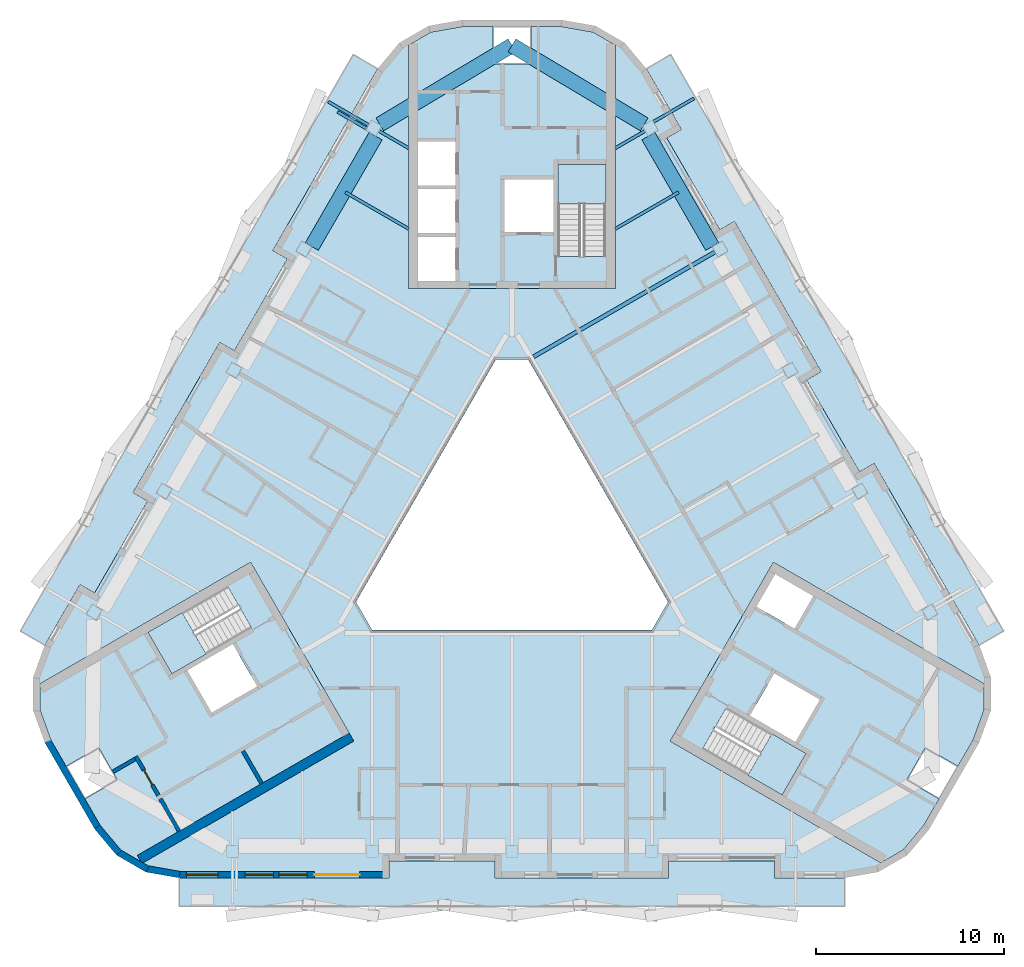
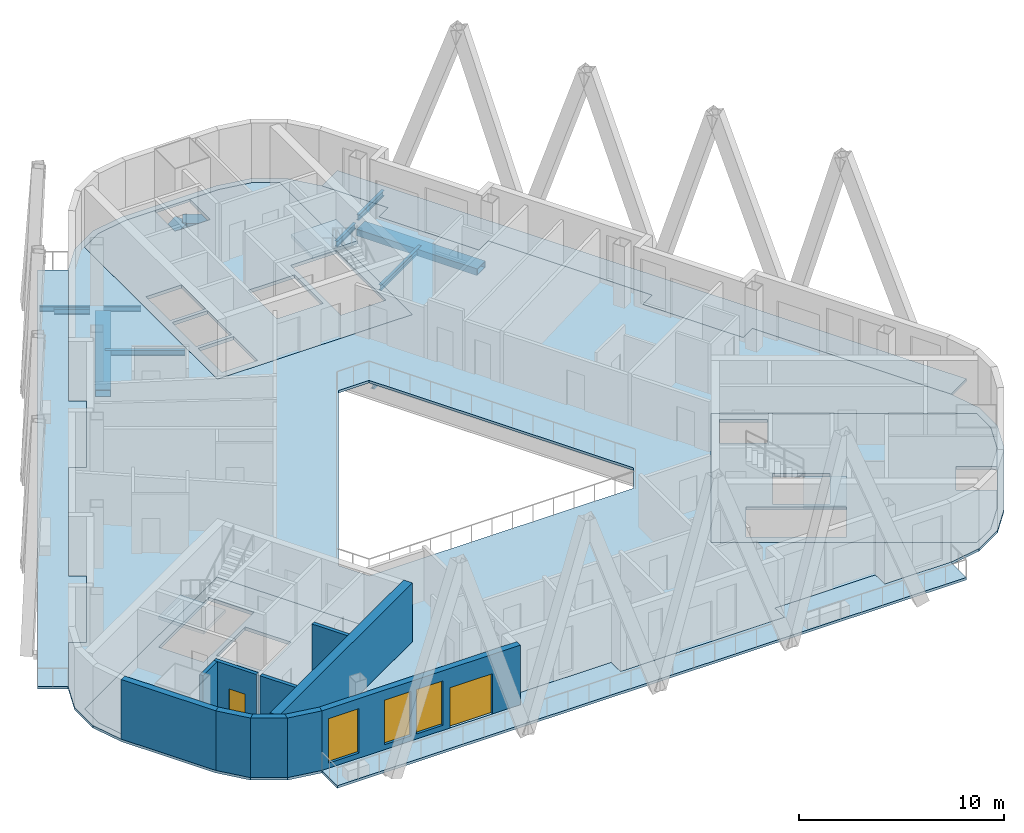
# One storey, part 2 of 14: 12 beams, 10 slabs, 10 walls, 3 windows, 2 doors, 5 openings, 3 elements without a shape of their own.
"""IFC4 building model written with IfcOpenShell, lengths in metres."""

from ifc_helpers import new_model, si_unit, direction, frame, frame_2d, origin, origin_2d, place, context, subcontext, project, spatial, polyline, rectangle, hollow_rectangle, i_section, outline, extrude, material, layer, layer_set, material_profile, profile_set, type_object, element, fill, aggregate, save


model = new_model("IFC4")

# Units and contexts
model_context = context("Model", 3, precision=1e-05, world=origin(), true_north=direction((0.0, 1.0)))
body_context = subcontext(model_context, "Body", "Model", "MODEL_VIEW")
ifc_project = project(units=[si_unit("LENGTHUNIT", "METRE"), si_unit("AREAUNIT", "SQUARE_METRE"), si_unit("VOLUMEUNIT", "CUBIC_METRE"), si_unit("PLANEANGLEUNIT", "RADIAN"), si_unit("MASSUNIT", "GRAM", prefix="KILO")], contexts=[model_context])

# Site, building, storey
site_placement = place(None, origin())
site = spatial("IfcSite", under=ifc_project, at=site_placement, CompositionType="ELEMENT")
building_placement = place(site_placement, origin())
building = spatial("IfcBuilding", under=site, at=building_placement, Name="Apuvela Tower Hotel", CompositionType="ELEMENT")
storey_placement = place(building_placement, frame((0.0, 0.0, 268.89990234375)))
storey = spatial("IfcBuildingStorey", under=building, at=storey_placement, Name="L66", CompositionType="ELEMENT", Elevation=268.89990234375)

# Beams
ifc_material_1 = material(Name="Steel S355", Category="steel")
ifc_material_profile_1 = material_profile(ifc_material_1, i_section(OverallWidth=0.159912109375, OverallDepth=0.330078125, WebThickness=0.007568359375, FlangeThickness=0.011474609375, at=origin_2d()), Name="IPE 330")
ifc_profile_set_1 = profile_set([ifc_material_profile_1], Name="Steel S355")
beam_type_1 = type_object("IfcBeamType", Name="ENV-BALCONY-BEAM-IPE330", PredefinedType="BEAM", material=ifc_profile_set_1)
beam_1_placement = place(storey_placement, frame((7.543212890625, 21.776123046875, -0.31494140625), z_axis=(0.866031185235, 0.4999899861, 0.0), x_axis=(-0.4999899861, 0.866031185235, 0.0)))
element("IfcBeam", 1, at=beam_1_placement, inside=storey, type_object=beam_type_1, Name="Balcony cantilever beam NE3 L66", PredefinedType="BEAM", context=body_context, shape_type="SweptSolid", body=[
    extrude(i_section(OverallWidth=0.159912109375, OverallDepth=0.330078125, WebThickness=0.007568359375, FlangeThickness=0.011474609375, at=origin_2d()), origin(), (0.0, 0.0, 1.0), 2.47509765625),
])
beam_2_placement = place(storey_placement, frame((-7.643310546875, 21.60302734375, -0.31494140625), z_axis=(-0.866006523861, 0.500032699561, 0.0), x_axis=(-0.500032699561, -0.866006523861, 0.0)))
element("IfcBeam", 2, at=beam_2_placement, inside=storey, type_object=beam_type_1, Name="Balcony cantilever beam NW1 L66", PredefinedType="BEAM", context=body_context, shape_type="SweptSolid", body=[
    extrude(i_section(OverallWidth=0.159912109375, OverallDepth=0.330078125, WebThickness=0.007568359375, FlangeThickness=0.011474609375, at=origin_2d()), origin(), (0.0, 0.0, 1.0), 2.474853515625),
])
beam_3_placement = place(storey_placement, frame((-7.75341796875, 21.41259765625, -0.31494140625), z_axis=(-0.866025242659, 0.500000279077, 0.0), x_axis=(-0.500000279077, -0.866025242659, 0.0)))
element("IfcBeam", 3, at=beam_3_placement, inside=storey, type_object=beam_type_1, Name="Balcony cantilever beam NW2 L66", PredefinedType="BEAM", context=body_context, shape_type="SweptSolid", body=[
    extrude(i_section(OverallWidth=0.159912109375, OverallDepth=0.330078125, WebThickness=0.007568359375, FlangeThickness=0.011474609375, at=origin_2d()), origin(), (0.0, 0.0, 1.0), 1.77490234375),
])
ifc_material_profile_2 = material_profile(ifc_material_1, i_section(OverallWidth=0.159912109375, OverallDepth=0.330078125, WebThickness=0.007568359375, FlangeThickness=0.011474609375, at=origin_2d()), Name="IPE 330")
ifc_profile_set_2 = profile_set([ifc_material_profile_2], Name="Steel S355")
beam_type_2 = type_object("IfcBeamType", Name="STR-B floor beam IPE 330", PredefinedType="BEAM", material=ifc_profile_set_2)
beam_4_placement = place(storey_placement, frame((8.876220703125, 18.017333984375, -0.31494140625), z_axis=(-0.866030200013, -0.499991692596, 0.0), x_axis=(0.499991692596, -0.866030200013, 0.0)))
element("IfcBeam", 4, at=beam_4_placement, inside=storey, type_object=beam_type_2, Name="Floor beam B1 NE8", PredefinedType="BEAM", context=body_context, shape_type="SweptSolid", body=[
    extrude(i_section(OverallWidth=0.159912109375, OverallDepth=0.330078125, WebThickness=0.007568359375, FlangeThickness=0.011474609375, at=origin_2d()), origin(), (0.0, 0.0, 1.0), 3.8984375),
])
for number, where, z_axis, x_axis, name in (
    (5, (7.080322265625, 21.278076171875, -0.31494140625), (-0.865978377894, -0.500081442387, 0.0), (0.500081442387, -0.865978377894, 0.0), "Floor beam B1 NE9"),
    (6, (-7.080322265625, 21.278076171875, -0.31494140625), (0.865978377894, -0.500081442387, 0.0), (0.500081442387, 0.865978377894, 0.0), "Floor beam B1 NW1"),
):
    element("IfcBeam", number, at=place(storey_placement, frame(where, z_axis=z_axis, x_axis=x_axis)), inside=storey, type_object=beam_type_2, Name=name, PredefinedType="BEAM", context=body_context, shape_type="SweptSolid", body=[
        extrude(i_section(OverallWidth=0.159912109375, OverallDepth=0.330078125, WebThickness=0.007568359375, FlangeThickness=0.011474609375, at=origin_2d()), origin(), (0.0, 0.0, 1.0), 1.824951171875),
    ])
beam_5_placement = place(storey_placement, frame((-8.876220703125, 18.017333984375, -0.31494140625), z_axis=(0.866030200013, -0.499991692596, 0.0), x_axis=(0.499991692596, 0.866030200013, 0.0)))
element("IfcBeam", 7, at=beam_5_placement, inside=storey, type_object=beam_type_2, Name="Floor beam B1 NW2", PredefinedType="BEAM", context=body_context, shape_type="SweptSolid", body=[
    extrude(i_section(OverallWidth=0.159912109375, OverallDepth=0.330078125, WebThickness=0.007568359375, FlangeThickness=0.011474609375, at=origin_2d()), origin(), (0.0, 0.0, 1.0), 3.8984375),
])
ifc_material_profile_3 = material_profile(ifc_material_1, i_section(OverallWidth=0.2099609375, OverallDepth=0.550048828125, WebThickness=0.010986328125, FlangeThickness=0.01708984375, at=origin_2d()), Name="IPE 550")
ifc_profile_set_3 = profile_set([ifc_material_profile_3], Name="Steel S355")
beam_type_3 = type_object("IfcBeamType", Name="STR-B floor beam IPE 550", PredefinedType="BEAM", material=ifc_profile_set_3)
beam_6_placement = place(storey_placement, frame((10.80224609375, 14.831787109375, -0.4248046875), z_axis=(-0.866026256057, -0.499998523817, 0.0), x_axis=(0.499998523817, -0.866026256057, 0.0)))
element("IfcBeam", 8, at=beam_6_placement, inside=storey, type_object=beam_type_3, Name="Floor beam B7 NE7", PredefinedType="BEAM", context=body_context, shape_type="SweptSolid", body=[
    extrude(i_section(OverallWidth=0.2099609375, OverallDepth=0.550048828125, WebThickness=0.010986328125, FlangeThickness=0.01708984375, at=origin_2d()), origin(), (0.0, 0.0, 1.0), 11.15087890625),
])
ifc_material_2 = material(Name="Steel S460", Category="steel")
ifc_material_profile_4 = material_profile(ifc_material_2, hollow_rectangle(XDim=0.800048828125, YDim=0.39990234375, WallThickness=0.02490234375, at=origin_2d()), Name="BOX 800x400x25")
ifc_profile_set_4 = profile_set([ifc_material_profile_4], Name="Steel S460")
beam_type_4 = type_object("IfcBeamType", Name="STR-RB perimeter ring beam BOX 800x400x25", PredefinedType="SPANDREL", material=ifc_profile_set_4)
for number, where, z_axis, x_axis, name in (
    (9, (10.661376953125, 15.125732421875, -0.39990234375), (-0.500000356135, 0.86602519817, 0.0), (-0.86602519817, -0.500000356135, 0.0), "Ring beam RB1 NE4"),
    (10, (-7.2646484375, 21.009033203125, -0.39990234375), (-0.500000356135, -0.86602519817, 0.0), (0.86602519817, -0.500000356135, 0.0), "Ring beam RB1 NW1"),
):
    element("IfcBeam", number, at=place(storey_placement, frame(where, z_axis=z_axis, x_axis=x_axis)), inside=storey, type_object=beam_type_4, Name=name, PredefinedType="SPANDREL", context=body_context, shape_type="SweptSolid", body=[
        extrude(hollow_rectangle(XDim=0.800048828125, YDim=0.39990234375, WallThickness=0.02490234375, at=origin_2d()), origin(), (0.0, 0.0, 1.0), 6.79345703125),
    ])
for number, where, z_axis, x_axis, name in (
    (11, (7.04248046875, 21.631591796875, -0.39990234375), (-0.858274280766, 0.513191249901, 0.0), (-0.513191249901, -0.858274280766, 0.0), "Ring beam RB1 NE5-N"),
    (12, (-7.04248046875, 21.631591796875, -0.39990234375), (0.858274280766, 0.513191249901, 0.0), (-0.513191249901, 0.858274280766, 0.0), "Ring beam RB1 NW1-N"),
):
    element("IfcBeam", number, at=place(storey_placement, frame(where, z_axis=z_axis, x_axis=x_axis)), inside=storey, type_object=beam_type_4, Name=name, PredefinedType="SPANDREL", context=body_context, shape_type="SweptSolid", body=[
        extrude(hollow_rectangle(XDim=0.800048828125, YDim=0.39990234375, WallThickness=0.02490234375, at=origin_2d()), origin(), (0.0, 0.0, 1.0), 8.205322265625),
    ])

# Slabs
ifc_material_3 = material(Name="Concrete C50/60", Category="concrete")
ifc_layer_1 = layer(ifc_material_3, 0.199951171875)
ifc_layer_set_1 = layer_set([ifc_layer_1], Name="COR-FLOOR-200")
slab_type_1 = type_object("IfcSlabType", Name="COR-FLOOR-200", PredefinedType="FLOOR", material=ifc_layer_set_1)
slab_1_placement = place(storey_placement, frame((0.0, 0.0, -0.199951171875)))
element("IfcSlab", 13, at=slab_1_placement, inside=storey, type_object=slab_type_1, Name="Core floor N", PredefinedType="FLOOR", context=body_context, shape_type="SweptSolid", body=[
    extrude(outline(polyline([(5.5, 25.86279296875), (4.31640625, 26.5458984375), (2.635009765625, 26.842529296875), (1.0, 26.842529296875), (1.0, 24.842529296875), (-1.0, 24.842529296875), (-1.0, 26.842529296875), (-2.635009765625, 26.842529296875), (-4.31640625, 26.5458984375), (-5.5, 25.86279296875), (-5.5, 12.89990234375), (5.5, 12.89990234375), (5.5, 25.86279296875)]), holes=[polyline([(-3.0, 13.300048828125), (-5.0, 13.300048828125), (-5.0, 15.639892578125), (-3.0, 15.639892578125), (-3.0, 13.300048828125)]), polyline([(-3.0, 15.840087890625), (-5.0, 15.840087890625), (-5.0, 18.179931640625), (-3.0, 18.179931640625), (-3.0, 15.840087890625)]), polyline([(5.0, 14.60595703125), (2.449951171875, 14.60595703125), (2.449951171875, 19.5), (5.0, 19.5), (5.0, 14.60595703125)]), polyline([(2.199951171875, 18.699951171875), (2.199951171875, 15.89990234375), (-0.39990234375, 15.89990234375), (-0.39990234375, 18.699951171875), (2.199951171875, 18.699951171875)]), polyline([(-3.0, 20.719970703125), (-3.0, 18.3798828125), (-5.0, 18.3798828125), (-5.0, 20.719970703125), (-3.0, 20.719970703125)])]), origin(), (0.0, 0.0, 1.0), 0.199951171875),
])
slab_2_placement = place(storey_placement, frame((0.0, 0.0, -0.199951171875)))
element("IfcSlab", 14, at=slab_2_placement, inside=storey, type_object=slab_type_1, Name="Core floor SW", PredefinedType="FLOOR", context=body_context, shape_type="SweptSolid", body=[
    extrude(outline(polyline([(-25.147705078125, -8.168212890625), (-25.147705078125, -9.534912109375), (-24.563720703125, -11.139404296875), (-23.746337890625, -12.55517578125), (-22.014404296875, -11.55517578125), (-21.014404296875, -13.287353515625), (-22.746337890625, -14.287353515625), (-21.9287109375, -15.703125), (-20.831298828125, -17.01123046875), (-19.647705078125, -17.694580078125), (-8.421630859375, -11.213134765625), (-13.921630859375, -1.68701171875), (-25.147705078125, -8.168212890625)]), holes=[polyline([(-13.874267578125, -5.18115234375), (-18.112548828125, -7.628173828125), (-19.387451171875, -5.419921875), (-15.149169921875, -2.972900390625), (-13.874267578125, -5.18115234375)]), polyline([(-13.56982421875, -8.29638671875), (-15.99462890625, -9.6962890625), (-17.294677734375, -7.444580078125), (-14.869873046875, -6.044677734375), (-13.56982421875, -8.29638671875)])]), origin(), (0.0, 0.0, 1.0), 0.199951171875),
])
slab_3_placement = place(storey_placement, frame((0.0, 0.0, -0.199951171875)))
element("IfcSlab", 15, at=slab_3_placement, inside=storey, type_object=slab_type_1, Name="Core floor SE", PredefinedType="FLOOR", context=body_context, shape_type="SweptSolid", body=[
    extrude(outline(polyline([(19.647705078125, -17.694580078125), (20.831298828125, -17.01123046875), (21.9287109375, -15.703125), (22.746337890625, -14.287353515625), (21.014404296875, -13.287353515625), (22.014404296875, -11.55517578125), (23.746337890625, -12.55517578125), (24.563720703125, -11.139404296875), (25.147705078125, -9.534912109375), (25.147705078125, -8.168212890625), (13.921630859375, -1.68701171875), (8.421630859375, -11.213134765625), (19.647705078125, -17.694580078125)]), holes=[polyline([(14.01806640625, -2.31982421875), (16.044677734375, -3.489990234375), (15.044677734375, -5.221923828125), (13.01806640625, -4.052001953125), (14.01806640625, -2.31982421875)]), polyline([(10.149169921875, -11.633056640625), (11.42431640625, -9.4248046875), (15.66259765625, -11.871826171875), (14.387451171875, -14.080078125), (10.149169921875, -11.633056640625)]), polyline([(12.669921875, -9.855224609375), (13.9697265625, -7.603515625), (16.394775390625, -9.003662109375), (15.0947265625, -11.25537109375), (12.669921875, -9.855224609375)])]), origin(), (0.0, 0.0, 1.0), 0.199951171875),
])

# Stair, slab
stair_type = type_object("IfcStairType", Name="COR-STAIR-22R", PredefinedType="HALF_TURN_STAIR", material=ifc_material_3)
stair_1_placement = place(storey_placement, origin())
stair_1 = element("IfcStair", 16, at=stair_1_placement, inside=storey, type_object=stair_type, Name="L66 Exit stair ST1", PredefinedType="HALF_TURN_STAIR")
ifc_layer_2 = layer(ifc_material_3, 0.199951171875)
ifc_layer_set_2 = layer_set([ifc_layer_2], Name="COR-LANDING-200")
slab_type_2 = type_object("IfcSlabType", Name="COR-LANDING-200", PredefinedType="LANDING", material=ifc_layer_set_2)
slab_4_placement = place(storey_placement, frame((0.0, 0.0, 1.650146484375)))
slab_4 = element("IfcSlab", 17, at=slab_4_placement, type_object=slab_type_2, Name="ST1 landing 1", PredefinedType="LANDING", context=body_context, shape_type="SweptSolid", body=[
    extrude(outline(polyline([(5.0, 17.39404296875), (5.0, 19.5), (2.449951171875, 19.5), (2.449951171875, 17.39404296875), (5.0, 17.39404296875)])), origin(), (0.0, 0.0, 1.0), 0.199951171875),
])
aggregate(stair_1, [slab_4])

stair_2_placement = place(storey_placement, origin())
stair_2 = element("IfcStair", 18, at=stair_2_placement, inside=storey, type_object=stair_type, Name="L66 Exit stair ST2", PredefinedType="HALF_TURN_STAIR")
slab_5_placement = place(storey_placement, frame((0.0, 0.0, 1.650146484375)))
slab_5 = element("IfcSlab", 19, at=slab_5_placement, type_object=slab_type_2, Name="ST2 landing 1", PredefinedType="LANDING", context=body_context, shape_type="SweptSolid", body=[
    extrude(outline(polyline([(-17.563720703125, -4.366943359375), (-19.387451171875, -5.419921875), (-18.112548828125, -7.628173828125), (-16.28857421875, -6.5751953125), (-17.563720703125, -4.366943359375)])), origin(), (0.0, 0.0, 1.0), 0.199951171875),
])
aggregate(stair_2, [slab_5])

stair_3_placement = place(storey_placement, origin())
stair_3 = element("IfcStair", 20, at=stair_3_placement, inside=storey, type_object=stair_type, Name="L66 Exit stair ST3", PredefinedType="HALF_TURN_STAIR")
slab_6_placement = place(storey_placement, frame((0.0, 0.0, 1.650146484375)))
slab_6 = element("IfcSlab", 21, at=slab_6_placement, type_object=slab_type_2, Name="ST3 landing 1", PredefinedType="LANDING", context=body_context, shape_type="SweptSolid", body=[
    extrude(outline(polyline([(12.563720703125, -13.027099609375), (14.387451171875, -14.080078125), (15.66259765625, -11.871826171875), (13.838623046875, -10.81884765625), (12.563720703125, -13.027099609375)])), origin(), (0.0, 0.0, 1.0), 0.199951171875),
])
aggregate(stair_3, [slab_6])

# Slabs
ifc_material_4 = material(Name="Concrete C40/50, fair-faced", Category="concrete")
ifc_layer_3 = layer(ifc_material_4, 0.14990234375)
ifc_layer_set_3 = layer_set([ifc_layer_3], Name="ENV-BALCONY-150")
slab_type_3 = type_object("IfcSlabType", Name="ENV-BALCONY-150", PredefinedType="FLOOR", material=ifc_layer_set_3)
slab_7_placement = place(storey_placement, frame((0.0, 0.0, -0.14990234375)))
element("IfcSlab", 22, at=slab_7_placement, inside=storey, type_object=slab_type_3, Name="Balcony slab S L66", PredefinedType="FLOOR", context=body_context, shape_type="SweptSolid", body=[
    extrude(outline(polyline([(17.733642578125, -20.000732421875), (-17.733642578125, -20.000732421875), (-17.733642578125, -18.49072265625), (-6.548583984375, -18.49072265625), (-6.548583984375, -17.5908203125), (-0.89501953125, -17.5908203125), (-0.89501953125, -18.49072265625), (8.338623046875, -18.49072265625), (8.338623046875, -17.5908203125), (13.9921875, -17.5908203125), (13.9921875, -18.49072265625), (17.733642578125, -18.49072265625), (17.733642578125, -20.000732421875)])), origin(), (0.0, 0.0, 1.0), 0.14990234375),
])
slab_8_placement = place(storey_placement, frame((0.0, 0.0, -0.14990234375)))
element("IfcSlab", 23, at=slab_8_placement, inside=storey, type_object=slab_type_3, Name="Balcony slab NE L66", PredefinedType="FLOOR", context=body_context, shape_type="SweptSolid", body=[
    extrude(outline(polyline([(16.4609375, 8.47021484375), (11.84423828125, 16.466796875), (11.064697265625, 16.016845703125), (8.238037109375, 20.912841796875), (9.017578125, 21.36279296875), (7.146728515625, 24.603271484375), (8.454345703125, 25.358154296875), (26.18798828125, -5.357421875), (24.88037109375, -6.1123046875), (19.287841796875, 3.57421875), (18.50830078125, 3.124267578125), (15.681640625, 8.020263671875), (16.4609375, 8.47021484375)])), origin(), (0.0, 0.0, 1.0), 0.14990234375),
])
slab_9_placement = place(storey_placement, frame((0.0, 0.0, -0.14990234375)))
element("IfcSlab", 24, at=slab_9_placement, inside=storey, type_object=slab_type_3, Name="Balcony slab NW L66", PredefinedType="FLOOR", context=body_context, shape_type="SweptSolid", body=[
    extrude(outline(polyline([(-26.18798828125, -5.357421875), (-8.454345703125, 25.3583984375), (-7.146728515625, 24.603271484375), (-12.7392578125, 14.91650390625), (-11.959716796875, 14.466552734375), (-14.78662109375, 9.570556640625), (-15.56591796875, 10.0205078125), (-20.182861328125, 2.02392578125), (-19.4033203125, 1.573974609375), (-22.22998046875, -3.322021484375), (-23.009521484375, -2.8720703125), (-24.88037109375, -6.1123046875), (-26.18798828125, -5.357421875)])), origin(), (0.0, 0.0, 1.0), 0.14990234375),
])
ifc_material_5 = material(Name="Concrete C35/45", Category="concrete")
ifc_layer_4 = layer(ifc_material_5, 0.14990234375)
ifc_layer_set_4 = layer_set([ifc_layer_4], Name="STR-SLAB 150 floor Concrete C35/45")
slab_type_4 = type_object("IfcSlabType", Name="STR-SLAB 150 floor Concrete C35/45", PredefinedType="FLOOR", material=ifc_layer_set_4)
slab_10_placement = place(storey_placement, frame((0.0, 0.0, -0.14990234375)))
element("IfcSlab", 25, at=slab_10_placement, inside=storey, type_object=slab_type_4, Name="Floor slab S4 L66", PredefinedType="FLOOR", context=body_context, shape_type="SweptSolid", body=[
    extrude(outline(polyline([(-5.99658203125, 25.97998046875), (-4.43798828125, 26.8798828125), (-2.66552734375, 27.1923828125), (2.66552734375, 27.1923828125), (4.43798828125, 26.8798828125), (5.99658203125, 25.97998046875), (7.153564453125, 24.601318359375), (9.0244140625, 21.361083984375), (8.244873046875, 20.9111328125), (11.066650390625, 16.023681640625), (11.84619140625, 16.4736328125), (16.468017578125, 8.468505859375), (15.6884765625, 8.0185546875), (18.51025390625, 3.131103515625), (19.28955078125, 3.5810546875), (24.882080078125, -6.105712890625), (25.497802734375, -7.796875), (25.497802734375, -9.5966796875), (24.882080078125, -11.287841796875), (22.216552734375, -15.90478515625), (21.059814453125, -17.283447265625), (19.501220703125, -18.183349609375), (17.728759765625, -18.495849609375), (13.987060546875, -18.495849609375), (13.987060546875, -17.595703125), (8.343505859375, -17.595703125), (8.343505859375, -18.495849609375), (-0.89990234375, -18.495849609375), (-0.89990234375, -17.595703125), (-6.54345703125, -17.595703125), (-6.54345703125, -18.495849609375), (-17.728759765625, -18.495849609375), (-19.501220703125, -18.183349609375), (-21.059814453125, -17.283447265625), (-22.216552734375, -15.90478515625), (-24.882080078125, -11.287841796875), (-25.497802734375, -9.5966796875), (-25.497802734375, -7.796875), (-24.882080078125, -6.105712890625), (-23.011474609375, -2.865234375), (-22.23193359375, -3.315185546875), (-19.41015625, 1.572021484375), (-20.189697265625, 2.022216796875), (-15.56787109375, 10.02734375), (-14.788330078125, 9.577392578125), (-11.966796875, 14.46484375), (-12.74609375, 14.914794921875), (-7.153564453125, 24.601318359375), (-5.99658203125, 25.97998046875)]), holes=[polyline([(0.865966796875, 9.10009765625), (-0.865966796875, 9.10009765625), (-8.313720703125, -3.800048828125), (-7.44775390625, -5.300048828125), (7.44775390625, -5.300048828125), (8.313720703125, -3.800048828125), (0.865966796875, 9.10009765625)]), polyline([(-5.5, 12.89990234375), (-5.5, 25.86279296875), (-4.31640625, 26.5458984375), (-2.635009765625, 26.842529296875), (2.635009765625, 26.842529296875), (4.31640625, 26.5458984375), (5.5, 25.86279296875), (5.5, 12.89990234375), (-5.5, 12.89990234375)]), polyline([(-8.421630859375, -11.213134765625), (-19.647705078125, -17.694580078125), (-20.831298828125, -17.01123046875), (-21.9287109375, -15.703125), (-24.563720703125, -11.139404296875), (-25.147705078125, -9.534912109375), (-25.147705078125, -8.168212890625), (-13.921630859375, -1.68701171875), (-8.421630859375, -11.213134765625)]), polyline([(13.921630859375, -1.68701171875), (25.147705078125, -8.168212890625), (25.147705078125, -9.534912109375), (24.563720703125, -11.139404296875), (21.9287109375, -15.703125), (20.831298828125, -17.01123046875), (19.647705078125, -17.694580078125), (8.421630859375, -11.213134765625), (13.921630859375, -1.68701171875)])]), origin(), (0.0, 0.0, 1.0), 0.14990234375),
])

# Wall
ifc_layer_5 = layer(ifc_material_3, 0.5)
ifc_layer_set_5 = layer_set([ifc_layer_5], Name="COR-WALL-CORE-500")
wall_type_1 = type_object("IfcWallType", Name="COR-WALL-CORE-500", PredefinedType="SHEAR", material=ifc_layer_set_5)
wall_1_placement = place(storey_placement, frame((-8.546630859375, -10.99658203125, 0.0), z_axis=(0.0, 0.0, 1.0), x_axis=(-0.866030218785, -0.499991660082, 0.0)))
element("IfcWall", 26, at=wall_1_placement, inside=storey, type_object=wall_type_1, Name="Core wall SW", PredefinedType="SHEAR", context=body_context, shape_type="SweptSolid", body=[
    extrude(rectangle(XDim=13.031494140625, YDim=0.5, at=frame_2d((6.515625, 0.0))), origin(), (0.0, 0.0, 1.0), 3.5),
])

# Wall, opening, door
ifc_layer_6 = layer(ifc_material_3, 0.199951171875)
ifc_layer_set_6 = layer_set([ifc_layer_6], Name="COR-WALL-SHAFT-200")
wall_type_2 = type_object("IfcWallType", Name="COR-WALL-SHAFT-200", PredefinedType="SHEAR", material=ifc_layer_set_6)
wall_2_placement = place(storey_placement, frame((-20.030517578125, -12.0263671875, 0.0), z_axis=(0.0, 0.0, 1.0), x_axis=(0.500033551112, -0.866006032174, 0.0)))
wall_2 = element("IfcWall", 27, at=wall_2_placement, inside=storey, type_object=wall_type_2, Name="Shaft wall SW", PredefinedType="SHEAR", context=body_context, shape_type="SweptSolid", body=[
    extrude(rectangle(XDim=2.400146484375, YDim=0.199951171875, at=frame_2d((1.2001953125, 0.0))), origin(), (0.0, 0.0, 1.0), 3.5),
])
opening_1_placement = place(wall_2_placement, frame((0.85009765625, 0.0, 0.0)))
opening_1 = element("IfcOpeningElement", 28, at=opening_1_placement, cuts=wall_2, Name="Opening W-REP", PredefinedType="OPENING", context=body_context, shape_type="SweptSolid", body=[
    extrude(rectangle(XDim=0.89990234375, YDim=2.10009765625, at=frame_2d((0.449951171875, 1.050048828125))), frame((0.0, 0.10986328125, 0.0), z_axis=(0.0, -1.0, 0.0), x_axis=(1.0, 0.0, 0.0)), (0.0, 0.0, 1.0), 0.219970703125),
])
ifc_material_6 = material(Name="Steel fire door, powder coated", Category="steel")
door_type_1 = type_object("IfcDoorType", Name="COR-DR-900", OperationType="NOTDEFINED", PredefinedType="DOOR", material=ifc_material_6)
door_1_placement = place(opening_1_placement, frame((0.89990234375, 0.0, 0.0), z_axis=(0.0, 0.0, 1.0), x_axis=(-1.0, 0.0, 0.0)))
door_1 = element("IfcDoor", 29, at=door_1_placement, inside=storey, type_object=door_type_1, Name="Store door W-REP", OperationType="SINGLE_SWING_LEFT", OverallHeight=2.10009765625, OverallWidth=0.89990234375, PredefinedType="DOOR", context=body_context, shape_type="SweptSolid", body=[
    extrude(rectangle(XDim=0.89990234375, YDim=2.10009765625, at=frame_2d((0.449951171875, 1.050048828125))), frame((0.0, 0.02490234375, 0.0), z_axis=(0.0, -1.0, 0.0), x_axis=(1.0, 0.0, 0.0)), (0.0, 0.0, 1.0), 0.050048828125),
])
fill(opening_1, door_1)

# Walls
for number, where, z_axis, x_axis, name in (
    (30, (-14.330810546875, -11.738037109375, 0.0), (0.0, 0.0, 1.0), (0.499972520799, -0.866041268327, 0.0), "Shaft wall SW"),
    (31, (-18.73046875, -14.278076171875, 0.0), (0.0, 0.0, 1.0), (0.50002537861, -0.866010750942, 0.0), "Shaft wall SW"),
):
    element("IfcWall", number, at=place(storey_placement, frame(where, z_axis=z_axis, x_axis=x_axis)), inside=storey, type_object=wall_type_2, Name=name, PredefinedType="SHEAR", context=body_context, shape_type="SweptSolid", body=[
        extrude(rectangle(XDim=2.0, YDim=0.199951171875, at=frame_2d((1.0, 0.0))), origin(), (0.0, 0.0, 1.0), 3.5),
    ])
wall_3_placement = place(storey_placement, frame((-20.06689453125, -12.1630859375, 0.0), z_axis=(0.0, 0.0, 1.0), x_axis=(-0.866094443108, -0.499880401313, 0.0)))
element("IfcWall", 32, at=wall_3_placement, inside=storey, type_object=wall_type_2, Name="Shaft wall SW", PredefinedType="SHEAR", context=body_context, shape_type="SweptSolid", body=[
    extrude(rectangle(XDim=1.382568359375, YDim=0.199951171875, at=frame_2d((0.69140625, 0.0))), origin(), (0.0, 0.0, 1.0), 3.5),
])
ifc_material_7 = material(Name="Concrete C40/50, dark pigmented precast panel", Category="concrete")
ifc_layer_7 = layer(ifc_material_7, 0.35009765625)
ifc_layer_set_7 = layer_set([ifc_layer_7], Name="ENV-WALL-350")
wall_type_3 = type_object("IfcWallType", Name="ENV-WALL-350", PredefinedType="SOLIDWALL", material=ifc_layer_set_7)
wall_4_placement = place(storey_placement, frame((-24.730712890625, -11.2001953125, 0.0), z_axis=(0.0, 0.0, 1.0), x_axis=(0.500025039717, -0.866010946615, 0.0)))
element("IfcWall", 33, at=wall_4_placement, inside=storey, type_object=wall_type_3, Name="External wall L66-13", PredefinedType="SOLIDWALL", context=body_context, shape_type="SweptSolid", body=[
    extrude(rectangle(XDim=5.331298828125, YDim=0.35009765625, at=frame_2d((2.66552734375, 0.0))), origin(), (0.0, 0.0, 1.0), 3.550048828125),
])
wall_5_placement = place(storey_placement, frame((-22.08251953125, -15.792236328125, 0.0), z_axis=(0.0, 0.0, 1.0), x_axis=(0.642756114672, -0.766070869471, 0.0)))
element("IfcWall", 34, at=wall_5_placement, inside=storey, type_object=wall_type_3, Name="External wall L66-14", PredefinedType="SOLIDWALL", context=body_context, shape_type="SweptSolid", body=[
    extrude(rectangle(XDim=1.799560546875, YDim=0.35009765625, at=frame_2d((0.89990234375, 0.0))), origin(), (0.0, 0.0, 1.0), 3.550048828125),
])
wall_6_placement = place(storey_placement, frame((-20.972412109375, -17.1318359375, 0.0), z_axis=(0.0, 0.0, 1.0), x_axis=(0.866047807691, -0.499961193289, 0.0)))
element("IfcWall", 35, at=wall_6_placement, inside=storey, type_object=wall_type_3, Name="External wall L66-15", PredefinedType="SOLIDWALL", context=body_context, shape_type="SweptSolid", body=[
    extrude(rectangle(XDim=1.800048828125, YDim=0.35009765625, at=frame_2d((0.89990234375, 0.0))), origin(), (0.0, 0.0, 1.0), 3.550048828125),
])
wall_7_placement = place(storey_placement, frame((-19.470703125, -18.010986328125, 0.0), z_axis=(0.0, 0.0, 1.0), x_axis=(0.984810858511, -0.173630564586, 0.0)))
element("IfcWall", 36, at=wall_7_placement, inside=storey, type_object=wall_type_3, Name="External wall L66-16", PredefinedType="SOLIDWALL", context=body_context, shape_type="SweptSolid", body=[
    extrude(rectangle(XDim=1.7998046875, YDim=0.35009765625, at=frame_2d((0.89990234375, 0.0))), origin(), (0.0, 0.0, 1.0), 3.550048828125),
])

# Wall, openings, door, windows
wall_8_placement = place(storey_placement, frame((-17.728759765625, -18.32080078125, 0.0), z_axis=(0.0, 0.0, 1.0), x_axis=(1.0, 0.0, 0.0)))
wall_8 = element("IfcWall", 37, at=wall_8_placement, inside=storey, type_object=wall_type_3, Name="External wall L66-17", PredefinedType="SOLIDWALL", context=body_context, shape_type="SweptSolid", body=[
    extrude(rectangle(XDim=11.185302734375, YDim=0.35009765625, at=frame_2d((5.5927734375, 0.0))), origin(), (0.0, 0.0, 1.0), 3.550048828125),
])
opening_2_placement = place(wall_8_placement, frame((0.380615234375, 0.0, 0.300048828125)))
opening_2 = element("IfcOpeningElement", 38, at=opening_2_placement, cuts=wall_8, Name="Opening WN17", PredefinedType="OPENING", context=body_context, shape_type="SweptSolid", body=[
    extrude(rectangle(XDim=1.699951171875, YDim=2.64990234375, at=frame_2d((0.85009765625, 1.324951171875))), frame((0.0, 0.18505859375, 0.0), z_axis=(0.0, -1.0, 0.0), x_axis=(1.0, 0.0, 0.0)), (0.0, 0.0, 1.0), 0.3701171875),
])
opening_3_placement = place(wall_8_placement, frame((7.210205078125, 0.0, 0.0)))
opening_3 = element("IfcOpeningElement", 39, at=opening_3_placement, cuts=wall_8, Name="Opening BD24", PredefinedType="OPENING", context=body_context, shape_type="SweptSolid", body=[
    extrude(rectangle(XDim=2.39990234375, YDim=2.39990234375, at=frame_2d((1.199951171875, 1.199951171875))), frame((0.0, 0.18505859375, 0.0), z_axis=(0.0, -1.0, 0.0), x_axis=(1.0, 0.0, 0.0)), (0.0, 0.0, 1.0), 0.3701171875),
])
opening_4_placement = place(wall_8_placement, frame((3.51611328125, 0.0, 0.300048828125)))
opening_4 = element("IfcOpeningElement", 40, at=opening_4_placement, cuts=wall_8, Name="Opening WN15", PredefinedType="OPENING", context=body_context, shape_type="SweptSolid", body=[
    extrude(rectangle(XDim=1.5, YDim=2.64990234375, at=frame_2d((0.75, 1.324951171875))), frame((0.0, 0.18505859375, 0.0), z_axis=(0.0, -1.0, 0.0), x_axis=(1.0, 0.0, 0.0)), (0.0, 0.0, 1.0), 0.3701171875),
])
opening_5_placement = place(wall_8_placement, frame((5.316162109375, 0.0, 0.300048828125)))
opening_5 = element("IfcOpeningElement", 41, at=opening_5_placement, cuts=wall_8, Name="Opening WN15", PredefinedType="OPENING", context=body_context, shape_type="SweptSolid", body=[
    extrude(rectangle(XDim=1.5, YDim=2.64990234375, at=frame_2d((0.75, 1.324951171875))), frame((0.0, 0.18505859375, 0.0), z_axis=(0.0, -1.0, 0.0), x_axis=(1.0, 0.0, 0.0)), (0.0, 0.0, 1.0), 0.3701171875),
])
ifc_material_8 = material(Name="Aluminium 6063-T6, dark bronze anodised frame with dark tinted laminated glass", Category="aluminium")
door_type_2 = type_object("IfcDoorType", Name="ENV-DOOR-BALCONY-2400x2400", OperationType="SLIDING_TO_LEFT", PredefinedType="DOOR", material=ifc_material_8)
door_2_placement = place(opening_3_placement, frame((2.39990234375, 0.0, 0.0), z_axis=(0.0, 0.0, 1.0), x_axis=(-1.0, 0.0, 0.0)))
door_2 = element("IfcDoor", 42, at=door_2_placement, inside=storey, type_object=door_type_2, Name="Balcony door BD24", OperationType="SLIDING_TO_LEFT", OverallHeight=2.39990234375, OverallWidth=2.39990234375, PredefinedType="DOOR", context=body_context, shape_type="SweptSolid", body=[
    extrude(rectangle(XDim=2.39990234375, YDim=2.39990234375, at=frame_2d((1.199951171875, 1.199951171875))), frame((0.0, 0.02490234375, 0.0), z_axis=(0.0, -1.0, 0.0), x_axis=(1.0, 0.0, 0.0)), (0.0, 0.0, 1.0), 0.050048828125),
])
fill(opening_3, door_2)
ifc_material_9 = material(Name="Glass, dark tinted laminated insulated glazing unit", Category="glass")
window_type_1 = type_object("IfcWindowType", Name="ENV-WIN-1500x2650", PartitioningType="SINGLE_PANEL", PredefinedType="WINDOW", material=ifc_material_9)
window_1_placement = place(opening_4_placement, origin())
window_1 = element("IfcWindow", 43, at=window_1_placement, inside=storey, type_object=window_type_1, Name="Window WN15", OverallHeight=2.64990234375, OverallWidth=1.5, PartitioningType="SINGLE_PANEL", PredefinedType="WINDOW", context=body_context, shape_type="SweptSolid", body=[
    extrude(rectangle(XDim=1.5, YDim=2.64990234375, at=frame_2d((0.75, 1.324951171875))), frame((0.0, 0.030029296875, 0.0), z_axis=(0.0, -1.0, 0.0), x_axis=(1.0, 0.0, 0.0)), (0.0, 0.0, 1.0), 0.06005859375),
])
fill(opening_4, window_1)
window_2_placement = place(opening_5_placement, origin())
window_2 = element("IfcWindow", 44, at=window_2_placement, inside=storey, type_object=window_type_1, Name="Window WN15", OverallHeight=2.64990234375, OverallWidth=1.5, PartitioningType="SINGLE_PANEL", PredefinedType="WINDOW", context=body_context, shape_type="SweptSolid", body=[
    extrude(rectangle(XDim=1.5, YDim=2.64990234375, at=frame_2d((0.75, 1.324951171875))), frame((0.0, 0.030029296875, 0.0), z_axis=(0.0, -1.0, 0.0), x_axis=(1.0, 0.0, 0.0)), (0.0, 0.0, 1.0), 0.06005859375),
])
fill(opening_5, window_2)
window_type_2 = type_object("IfcWindowType", Name="ENV-WIN-1700x2650", PartitioningType="SINGLE_PANEL", PredefinedType="WINDOW", material=ifc_material_9)
window_3_placement = place(opening_2_placement, origin())
window_3 = element("IfcWindow", 45, at=window_3_placement, inside=storey, type_object=window_type_2, Name="Window WN17", OverallHeight=2.64990234375, OverallWidth=1.699951171875, PartitioningType="SINGLE_PANEL", PredefinedType="WINDOW", context=body_context, shape_type="SweptSolid", body=[
    extrude(rectangle(XDim=1.699951171875, YDim=2.64990234375, at=frame_2d((0.85009765625, 1.324951171875))), frame((0.0, 0.030029296875, 0.0), z_axis=(0.0, -1.0, 0.0), x_axis=(1.0, 0.0, 0.0)), (0.0, 0.0, 1.0), 0.06005859375),
])
fill(opening_2, window_3)

save(model, "model.ifc")
